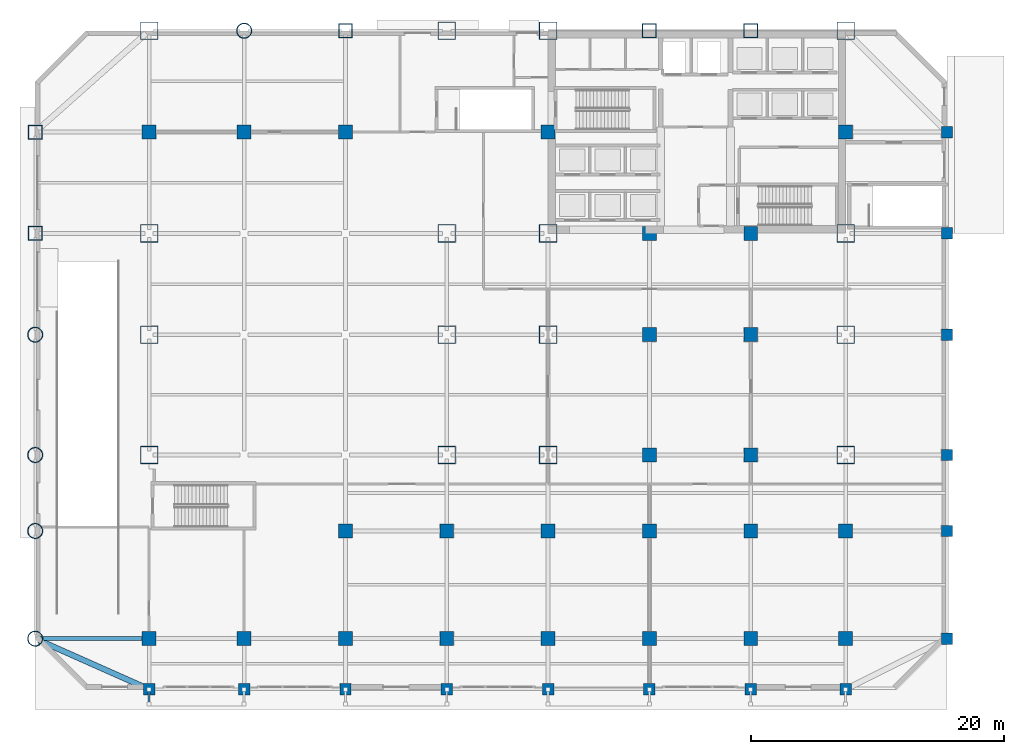
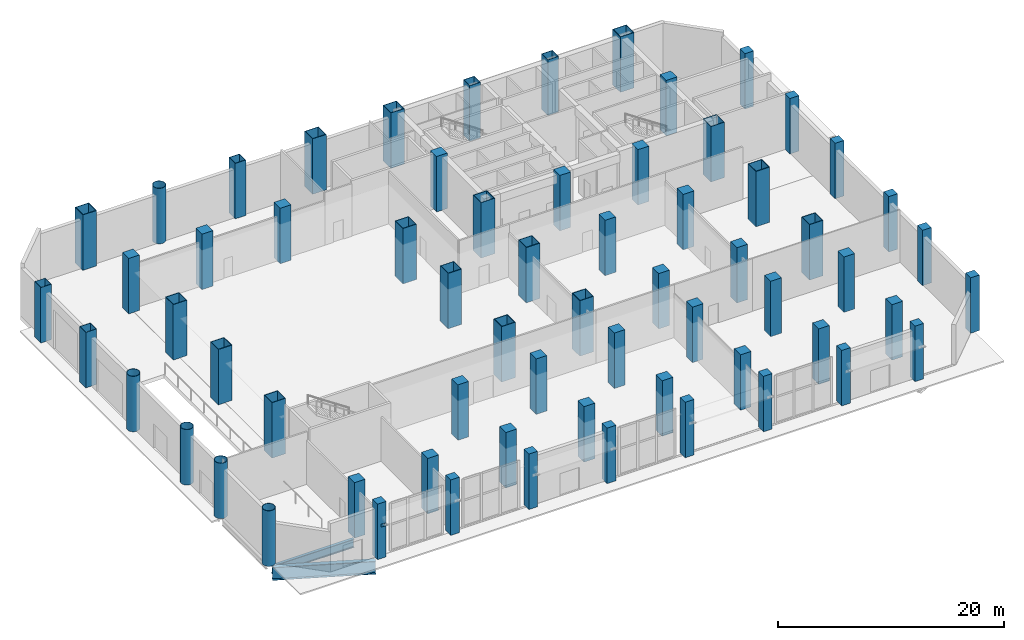
# One storey, part 1 of 19: 65 columns, 2 beams, 1 member.
"""IFC4 building model written with IfcOpenShell, lengths in metres."""

from ifc_helpers import new_model, si_unit, direction, frame, origin, origin_2d, place, context, subcontext, project, spatial, rectangle, hollow_rectangle, hollow_circle, i_section, extrude, material, material_profile, profile_set, type_object, element, save


model = new_model("IFC4")

# Units and contexts
model_context = context("Model", 3, precision=1e-05, world=origin(), true_north=direction((0.0, 1.0)))
body_context = subcontext(model_context, "Body", "Model", "MODEL_VIEW")
ifc_project = project(units=[si_unit("LENGTHUNIT", "METRE"), si_unit("AREAUNIT", "SQUARE_METRE"), si_unit("VOLUMEUNIT", "CUBIC_METRE"), si_unit("PLANEANGLEUNIT", "RADIAN"), si_unit("MASSUNIT", "GRAM", prefix="KILO")], contexts=[model_context])

# Site, building, storey
site_placement = place(None, origin())
site = spatial("IfcSite", under=ifc_project, at=site_placement, CompositionType="ELEMENT")
building_placement = place(site_placement, origin())
building = spatial("IfcBuilding", under=site, at=building_placement, Name="Qianrong Seaharbour Tower", CompositionType="ELEMENT")
storey_placement = place(building_placement, origin())
storey = spatial("IfcBuildingStorey", under=building, at=storey_placement, Name="L01", CompositionType="ELEMENT", Elevation=0.0)

# Columns
ifc_material_1 = material(Name="Structural steel SN490B", Category="steel")
ifc_material_profile_1 = material_profile(ifc_material_1, hollow_rectangle(XDim=1.39990234375, YDim=1.39990234375, WallThickness=0.050048828125, at=origin_2d()), Name="BOX1400x1400x50")
ifc_profile_set_1 = profile_set([ifc_material_profile_1], Name="Structural steel SN490B")
column_type_1 = type_object("IfcColumnType", Name="COL-CFT-1400", PredefinedType="COLUMN", material=ifc_profile_set_1)
for number, where, z_axis, x_axis, name in (
    (1, (9.0, 18.5, 0.0), (0.0, 0.0, 1.0), (1.0, 0.0, 0.0), "L01 Column MC-1 at G2/GD"),
    (2, (9.0, 28.0, 0.0), (0.0, 0.0, 1.0), (1.0, 0.0, 0.0), "L01 Column MC-1 at G2/GE"),
    (3, (9.0, 36.0, 0.0), (0.0, 0.0, 1.0), (1.0, 0.0, 0.0), "L01 Column MC-1 at G2/GF"),
    (4, (9.0, 52.0, 0.0), (0.0, 0.0, 1.0), (1.0, 0.0, 0.0), "L01 Column MC-1 at G2/GH"),
    (5, (32.5, 18.5, 0.0), (0.0, 0.0, 1.0), (1.0, 0.0, 0.0), "L01 Column MC-1 at G5/GD"),
    (6, (32.5, 28.0, 0.0), (0.0, 0.0, 1.0), (1.0, 0.0, 0.0), "L01 Column MC-1 at G5/GE"),
    (7, (32.5, 36.0, 0.0), (0.0, 0.0, 1.0), (1.0, 0.0, 0.0), "L01 Column MC-1 at G5/GF"),
    (8, (32.5, 52.0, 0.0), (0.0, 0.0, 1.0), (1.0, 0.0, 0.0), "L01 Column MC-1 at G5/GH"),
    (9, (40.5, 18.5, 0.0), (0.0, 0.0, 1.0), (1.0, 0.0, 0.0), "L01 Column MC-1 at G6/GD"),
    (10, (40.5, 28.0, 0.0), (0.0, 0.0, 1.0), (1.0, 0.0, 0.0), "L01 Column MC-1 at G6/GE"),
    (11, (40.5, 36.0, 0.0), (0.0, 0.0, 1.0), (1.0, 0.0, 0.0), "L01 Column MC-1 at G6/GF"),
    (12, (40.5, 52.0, 0.0), (0.0, 0.0, 1.0), (1.0, 0.0, 0.0), "L01 Column MC-1 at G6/GH"),
    (13, (64.0, 18.5, 0.0), (0.0, 0.0, 1.0), (1.0, 0.0, 0.0), "L01 Column MC-1 at G9/GD"),
    (14, (64.0, 28.0, 0.0), (0.0, 0.0, 1.0), (1.0, 0.0, 0.0), "L01 Column MC-1 at G9/GE"),
    (15, (64.0, 36.0, 0.0), (0.0, 0.0, 1.0), (1.0, 0.0, 0.0), "L01 Column MC-1 at G9/GF"),
    (16, (64.0, 52.0, 0.0), (0.0, 0.0, 1.0), (1.0, 0.0, 0.0), "L01 Column MC-1 at G9/GH"),
):
    element("IfcColumn", number, at=place(storey_placement, frame(where, z_axis=z_axis, x_axis=x_axis)), inside=storey, type_object=column_type_1, Name=name, PredefinedType="COLUMN", context=body_context, shape_type="SweptSolid", body=[
        extrude(hollow_rectangle(XDim=1.39990234375, YDim=1.39990234375, WallThickness=0.050048828125, at=origin_2d()), origin(), (0.0, 0.0, 1.0), 6.0),
    ])
ifc_material_profile_2 = material_profile(ifc_material_1, hollow_circle(Radius=0.60009765625, WallThickness=0.0400390625, at=origin_2d()), Name="CHS1200x40")
ifc_profile_set_2 = profile_set([ifc_material_profile_2], Name="Structural steel SN490B")
column_type_2 = type_object("IfcColumnType", Name="COL-CHS-1200", PredefinedType="COLUMN", material=ifc_profile_set_2)
for number, where, z_axis, x_axis, name in (
    (17, (0.0, 4.0, 0.0), (0.0, 0.0, 1.0), (1.0, 0.0, 0.0), "L01 Column CC-1 at G1/GB"),
    (18, (0.0, 12.5, 0.0), (0.0, 0.0, 1.0), (1.0, 0.0, 0.0), "L01 Column CC-1 at G1/GC"),
    (19, (0.0, 18.5, 0.0), (0.0, 0.0, 1.0), (1.0, 0.0, 0.0), "L01 Column CC-1 at G1/GD"),
    (20, (0.0, 28.0, 0.0), (0.0, 0.0, 1.0), (1.0, 0.0, 0.0), "L01 Column CC-1 at G1/GE"),
    (21, (16.5, 52.0, 0.0), (0.0, 0.0, 1.0), (1.0, 0.0, 0.0), "L01 Column CC-1 at G3/GH"),
):
    element("IfcColumn", number, at=place(storey_placement, frame(where, z_axis=z_axis, x_axis=x_axis)), inside=storey, type_object=column_type_2, Name=name, PredefinedType="COLUMN", context=body_context, shape_type="SweptSolid", body=[
        extrude(hollow_circle(Radius=0.60009765625, WallThickness=0.0400390625, at=origin_2d()), origin(), (0.0, 0.0, 1.0), 6.0),
    ])
ifc_material_2 = material(Name="Concrete C70/85", Category="concrete")
ifc_material_profile_3 = material_profile(ifc_material_2, rectangle(XDim=1.10009765625, YDim=1.10009765625, at=origin_2d()), Name="RC1100x1100")
ifc_profile_set_3 = profile_set([ifc_material_profile_3], Name="Concrete C70/85")
column_type_3 = type_object("IfcColumnType", Name="COL-INT-RC1100", PredefinedType="COLUMN", material=ifc_profile_set_3)
for number, where, z_axis, x_axis, name in (
    (22, (9.0, 4.0, 0.0), (0.0, 0.0, 1.0), (1.0, 0.0, 0.0), "L01 Column IC-1 at G2/GB"),
    (23, (9.0, 44.0, 0.0), (0.0, 0.0, 1.0), (1.0, 0.0, 0.0), "L01 Column IC-1 at G2/GG"),
    (24, (16.5, 4.0, 0.0), (0.0, 0.0, 1.0), (1.0, 0.0, 0.0), "L01 Column IC-1 at G3/GB"),
    (25, (16.5, 44.0, 0.0), (0.0, 0.0, 1.0), (1.0, 0.0, 0.0), "L01 Column IC-1 at G3/GG"),
    (26, (24.5, 4.0, 0.0), (0.0, 0.0, 1.0), (1.0, 0.0, 0.0), "L01 Column IC-1 at G4/GB"),
    (27, (24.5, 12.5, 0.0), (0.0, 0.0, 1.0), (1.0, 0.0, 0.0), "L01 Column IC-1 at G4/GC"),
    (28, (24.5, 44.0, 0.0), (0.0, 0.0, 1.0), (1.0, 0.0, 0.0), "L01 Column IC-1 at G4/GG"),
    (29, (32.5, 4.0, 0.0), (0.0, 0.0, 1.0), (1.0, 0.0, 0.0), "L01 Column IC-1 at G5/GB"),
    (30, (32.5, 12.5, 0.0), (0.0, 0.0, 1.0), (1.0, 0.0, 0.0), "L01 Column IC-1 at G5/GC"),
    (31, (40.5, 4.0, 0.0), (0.0, 0.0, 1.0), (1.0, 0.0, 0.0), "L01 Column IC-1 at G6/GB"),
    (32, (40.5, 12.5, 0.0), (0.0, 0.0, 1.0), (1.0, 0.0, 0.0), "L01 Column IC-1 at G6/GC"),
    (33, (40.5, 44.0, 0.0), (0.0, 0.0, 1.0), (1.0, 0.0, 0.0), "L01 Column IC-1 at G6/GG"),
    (34, (48.5, 4.0, 0.0), (0.0, 0.0, 1.0), (1.0, 0.0, 0.0), "L01 Column IC-1 at G7/GB"),
    (35, (48.5, 12.5, 0.0), (0.0, 0.0, 1.0), (1.0, 0.0, 0.0), "L01 Column IC-1 at G7/GC"),
    (36, (48.5, 18.5, 0.0), (0.0, 0.0, 1.0), (1.0, 0.0, 0.0), "L01 Column IC-1 at G7/GD"),
    (37, (48.5, 28.0, 0.0), (0.0, 0.0, 1.0), (1.0, 0.0, 0.0), "L01 Column IC-1 at G7/GE"),
    (38, (48.5, 36.0, 0.0), (0.0, 0.0, 1.0), (1.0, 0.0, 0.0), "L01 Column IC-1 at G7/GF"),
    (39, (56.5, 4.0, 0.0), (0.0, 0.0, 1.0), (1.0, 0.0, 0.0), "L01 Column IC-1 at G8/GB"),
    (40, (56.5, 12.5, 0.0), (0.0, 0.0, 1.0), (1.0, 0.0, 0.0), "L01 Column IC-1 at G8/GC"),
    (41, (56.5, 18.5, 0.0), (0.0, 0.0, 1.0), (1.0, 0.0, 0.0), "L01 Column IC-1 at G8/GD"),
    (42, (56.5, 28.0, 0.0), (0.0, 0.0, 1.0), (1.0, 0.0, 0.0), "L01 Column IC-1 at G8/GE"),
    (43, (56.5, 36.0, 0.0), (0.0, 0.0, 1.0), (1.0, 0.0, 0.0), "L01 Column IC-1 at G8/GF"),
    (44, (64.0, 4.0, 0.0), (0.0, 0.0, 1.0), (1.0, 0.0, 0.0), "L01 Column IC-1 at G9/GB"),
    (45, (64.0, 12.5, 0.0), (0.0, 0.0, 1.0), (1.0, 0.0, 0.0), "L01 Column IC-1 at G9/GC"),
    (46, (64.0, 44.0, 0.0), (0.0, 0.0, 1.0), (1.0, 0.0, 0.0), "L01 Column IC-1 at G9/GG"),
):
    element("IfcColumn", number, at=place(storey_placement, frame(where, z_axis=z_axis, x_axis=x_axis)), inside=storey, type_object=column_type_3, Name=name, PredefinedType="COLUMN", context=body_context, shape_type="SweptSolid", body=[
        extrude(rectangle(XDim=1.10009765625, YDim=1.10009765625, at=origin_2d()), origin(), (0.0, 0.0, 1.0), 6.0),
    ])
ifc_material_profile_4 = material_profile(ifc_material_1, hollow_rectangle(XDim=1.10009765625, YDim=1.10009765625, WallThickness=0.0400390625, at=origin_2d()), Name="BOX1100x1100x40")
ifc_profile_set_4 = profile_set([ifc_material_profile_4], Name="Structural steel SN490B")
column_type_4 = type_object("IfcColumnType", Name="COL-PER-1100", PredefinedType="COLUMN", material=ifc_profile_set_4)
for number, where, z_axis, x_axis, name in (
    (47, (0.0, 36.0, 0.0), (0.0, 0.0, 1.0), (1.0, 0.0, 0.0), "L01 Column PC-1 at G1/GF"),
    (48, (0.0, 44.0, 0.0), (0.0, 0.0, 1.0), (1.0, 0.0, 0.0), "L01 Column PC-1 at G1/GG"),
    (49, (24.5, 52.0, 0.0), (0.0, 0.0, 1.0), (1.0, 0.0, 0.0), "L01 Column PC-1 at G4/GH"),
    (50, (48.5, 52.0, 0.0), (0.0, 0.0, 1.0), (1.0, 0.0, 0.0), "L01 Column PC-1 at G7/GH"),
    (51, (56.5, 52.0, 0.0), (0.0, 0.0, 1.0), (1.0, 0.0, 0.0), "L01 Column PC-1 at G8/GH"),
):
    element("IfcColumn", number, at=place(storey_placement, frame(where, z_axis=z_axis, x_axis=x_axis)), inside=storey, type_object=column_type_4, Name=name, PredefinedType="COLUMN", context=body_context, shape_type="SweptSolid", body=[
        extrude(hollow_rectangle(XDim=1.10009765625, YDim=1.10009765625, WallThickness=0.0400390625, at=origin_2d()), origin(), (0.0, 0.0, 1.0), 6.0),
    ])
ifc_material_3 = material(Name="Concrete C60/75", Category="concrete")
ifc_material_profile_5 = material_profile(ifc_material_3, rectangle(XDim=0.89990234375, YDim=0.89990234375, at=origin_2d()), Name="RC900x900")
ifc_profile_set_5 = profile_set([ifc_material_profile_5], Name="Concrete C60/75")
column_type_5 = type_object("IfcColumnType", Name="COL-PIL-RC900", PredefinedType="PILASTER", material=ifc_profile_set_5)
for number, where, z_axis, x_axis, name in (
    (52, (9.0, 0.0, 0.0), (0.0, 0.0, 1.0), (1.0, 0.0, 0.0), "L01 Column CP-1 at G2/GA"),
    (53, (16.5, 0.0, 0.0), (0.0, 0.0, 1.0), (1.0, 0.0, 0.0), "L01 Column CP-1 at G3/GA"),
    (54, (24.5, 0.0, 0.0), (0.0, 0.0, 1.0), (1.0, 0.0, 0.0), "L01 Column CP-1 at G4/GA"),
    (55, (32.5, 0.0, 0.0), (0.0, 0.0, 1.0), (1.0, 0.0, 0.0), "L01 Column CP-1 at G5/GA"),
    (56, (40.5, 0.0, 0.0), (0.0, 0.0, 1.0), (1.0, 0.0, 0.0), "L01 Column CP-1 at G6/GA"),
    (57, (48.5, 0.0, 0.0), (0.0, 0.0, 1.0), (1.0, 0.0, 0.0), "L01 Column CP-1 at G7/GA"),
    (58, (56.5, 0.0, 0.0), (0.0, 0.0, 1.0), (1.0, 0.0, 0.0), "L01 Column CP-1 at G8/GA"),
    (59, (64.0, 0.0, 0.0), (0.0, 0.0, 1.0), (1.0, 0.0, 0.0), "L01 Column CP-1 at G9/GA"),
    (60, (72.0, 4.0, 0.0), (0.0, 0.0, 1.0), (1.0, 0.0, 0.0), "L01 Column CP-1 at G10/GB"),
    (61, (72.0, 12.5, 0.0), (0.0, 0.0, 1.0), (1.0, 0.0, 0.0), "L01 Column CP-1 at G10/GC"),
    (62, (72.0, 18.5, 0.0), (0.0, 0.0, 1.0), (1.0, 0.0, 0.0), "L01 Column CP-1 at G10/GD"),
    (63, (72.0, 28.0, 0.0), (0.0, 0.0, 1.0), (1.0, 0.0, 0.0), "L01 Column CP-1 at G10/GE"),
    (64, (72.0, 36.0, 0.0), (0.0, 0.0, 1.0), (1.0, 0.0, 0.0), "L01 Column CP-1 at G10/GF"),
    (65, (72.0, 44.0, 0.0), (0.0, 0.0, 1.0), (1.0, 0.0, 0.0), "L01 Column CP-1 at G10/GG"),
):
    element("IfcColumn", number, at=place(storey_placement, frame(where, z_axis=z_axis, x_axis=x_axis)), inside=storey, type_object=column_type_5, Name=name, PredefinedType="PILASTER", context=body_context, shape_type="SweptSolid", body=[
        extrude(rectangle(XDim=0.89990234375, YDim=0.89990234375, at=origin_2d()), origin(), (0.0, 0.0, 1.0), 6.0),
    ])

# Beams
ifc_material_profile_6 = material_profile(ifc_material_1, i_section(OverallWidth=0.300048828125, OverallDepth=0.89990234375, WebThickness=0.01611328125, FlangeThickness=0.028076171875, FilletRadius=0.028076171875, at=origin_2d()), Name="H900x300x16x28")
ifc_profile_set_6 = profile_set([ifc_material_profile_6], Name="Structural steel SN490B")
beam_type_1 = type_object("IfcBeamType", Name="BM-G-900", PredefinedType="BEAM", material=ifc_profile_set_6)
beam_1_placement = place(storey_placement, frame((0.320068359375, 4.0, -0.8701171875), z_axis=(1.0, 0.0, 0.0), x_axis=(0.0, 1.0, 0.0)))
element("IfcBeam", 66, at=beam_1_placement, inside=storey, type_object=beam_type_1, Name="L01 Primary Girder GB G1-G2", PredefinedType="BEAM", context=body_context, shape_type="SweptSolid", body=[
    extrude(i_section(OverallWidth=0.300048828125, OverallDepth=0.89990234375, WebThickness=0.01611328125, FlangeThickness=0.028076171875, FilletRadius=0.028076171875, at=origin_2d()), origin(), (0.0, 0.0, 1.0), 8.35986328125),
])
ifc_material_profile_7 = material_profile(ifc_material_1, i_section(OverallWidth=0.449951171875, OverallDepth=1.39990234375, WebThickness=0.02197265625, FlangeThickness=0.0400390625, at=origin_2d()), Name="BH1400x450x22x40")
ifc_profile_set_7 = profile_set([ifc_material_profile_7], Name="Structural steel SN490B")
beam_type_2 = type_object("IfcBeamType", Name="BM-TG-1400", PredefinedType="BEAM", material=ifc_profile_set_7)
beam_2_placement = place(storey_placement, frame((8.70751953125, 0.1298828125, -1.1201171875), z_axis=(-0.913802802304, 0.406158144694, 0.0), x_axis=(-0.406158144694, -0.913802802304, 0.0)))
element("IfcBeam", 67, at=beam_2_placement, inside=storey, type_object=beam_type_2, Name="L01 Chamfer Corner Spandrel Girder G1/GA", PredefinedType="BEAM", context=body_context, shape_type="SweptSolid", body=[
    extrude(i_section(OverallWidth=0.449951171875, OverallDepth=1.39990234375, WebThickness=0.02197265625, FlangeThickness=0.0400390625, at=origin_2d()), origin(), (0.0, 0.0, 1.0), 9.208740234375),
])

# Member
ifc_material_4 = material(Name="Structural steel SN400B", Category="steel")
ifc_material_profile_8 = material_profile(ifc_material_4, hollow_rectangle(XDim=0.14990234375, YDim=0.25, WallThickness=0.009033203125, at=origin_2d()), Name="RHS250x150x9")
ifc_profile_set_8 = profile_set([ifc_material_profile_8], Name="Structural steel SN400B")
member_type = type_object("IfcMemberType", Name="MEM-STRUT-250", PredefinedType="STRUT", material=ifc_profile_set_8)
member_placement = place(storey_placement, frame((9.0, 0.0, 3.199951171875), z_axis=(0.0, -0.78743090963, 0.616402922251), x_axis=(1.0, 0.0, 0.0)))
element("IfcMember", 68, at=member_placement, inside=storey, type_object=member_type, Name="Colonnade Canopy Support Strut 1W", PredefinedType="STRUT", context=body_context, shape_type="SweptSolid", body=[
    extrude(hollow_rectangle(XDim=0.14990234375, YDim=0.25, WallThickness=0.009033203125, at=origin_2d()), origin(), (0.0, 0.0, 1.0), 1.460205078125),
])

save(model, "model.ifc")
